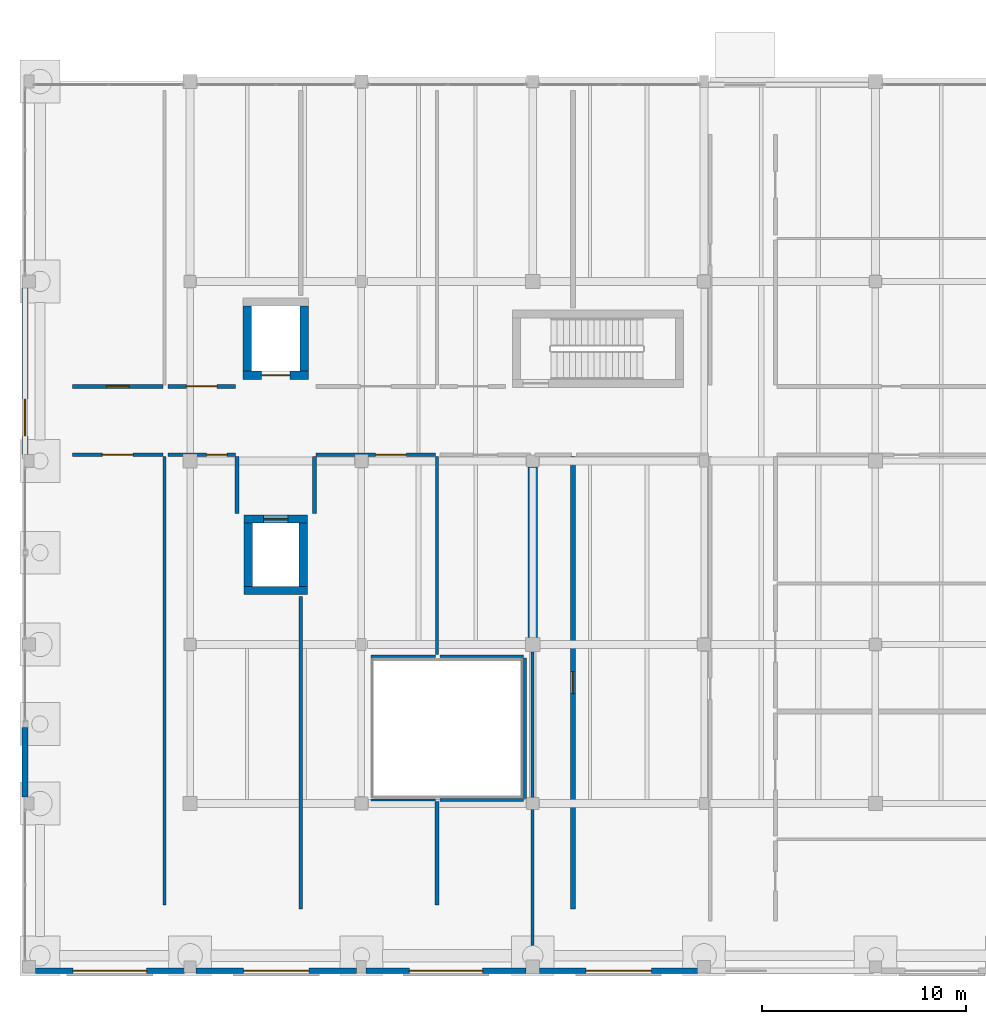
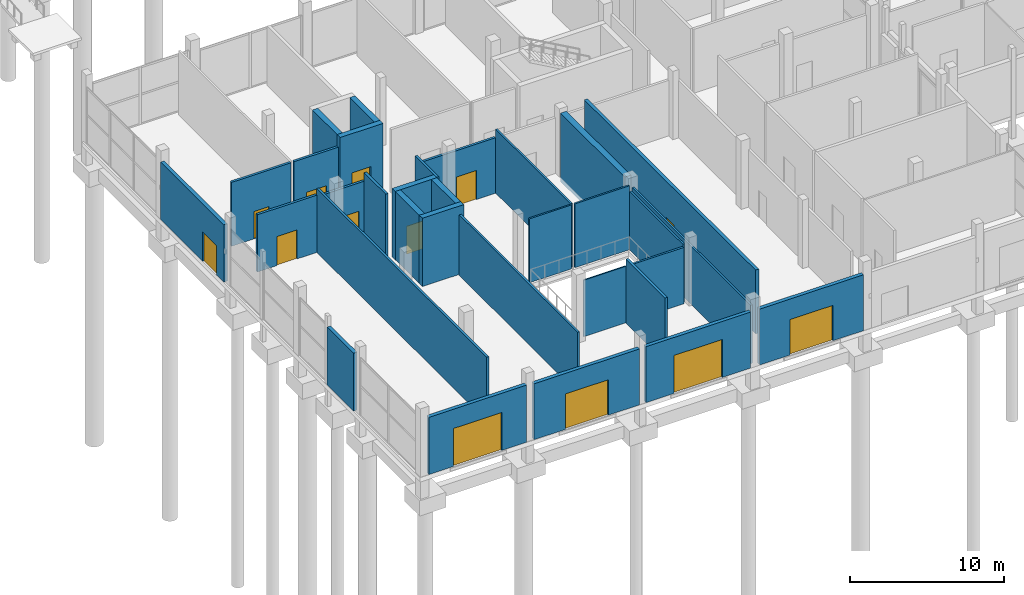
# One storey, part 56 of 88: 32 walls, 13 doors, 13 openings.
"""IFC4 building model written with IfcOpenShell, lengths in metres."""

from ifc_helpers import new_model, si_unit, direction, frame, frame_2d, origin, place, context, subcontext, project, spatial, rectangle, extrude, material, layer, layer_set, type_object, element, fill, save


model = new_model("IFC4")

# Units and contexts
model_context = context("Model", 3, precision=1e-05, world=origin(), true_north=direction((0.0, 1.0)))
body_context = subcontext(model_context, "Body", "Model", "MODEL_VIEW")
ifc_project = project(units=[si_unit("LENGTHUNIT", "METRE"), si_unit("AREAUNIT", "SQUARE_METRE"), si_unit("VOLUMEUNIT", "CUBIC_METRE"), si_unit("PLANEANGLEUNIT", "RADIAN"), si_unit("MASSUNIT", "GRAM", prefix="KILO")], contexts=[model_context])

# Site, building, storey
site_placement = place(None, origin())
site = spatial("IfcSite", under=ifc_project, at=site_placement, CompositionType="ELEMENT")
building_placement = place(site_placement, origin())
building = spatial("IfcBuilding", under=site, at=building_placement, Name="Birchvale Park Specialist Clinic", CompositionType="ELEMENT")
storey_placement = place(building_placement, origin())
storey = spatial("IfcBuildingStorey", under=building, at=storey_placement, Name="L00", CompositionType="ELEMENT", Elevation=0.0)

# Wall
ifc_material_1 = material(Name="Concrete C40/50", Category="concrete")
ifc_layer_1 = layer(ifc_material_1, 0.39990234375)
ifc_layer_set_1 = layer_set([ifc_layer_1], Name="Concrete C40/50")
wall_type_1 = type_object("IfcWallType", Name="WL-CW-120", PredefinedType="SHEAR", material=ifc_layer_set_1)
wall_1_placement = place(storey_placement, frame((13.85009765625, 19.449951171875, 0.0), z_axis=(0.0, 0.0, 1.0), x_axis=(1.0, 0.0, 0.0)))
element("IfcWall", 1, at=wall_1_placement, inside=storey, type_object=wall_type_1, Name="L00 lift LP3 shaft wall (south)", PredefinedType="SHEAR", context=body_context, shape_type="SweptSolid", body=[
    extrude(rectangle(XDim=3.099853515625, YDim=0.39990234375, at=frame_2d((1.5498046875, 0.0))), origin(), (0.0, 0.0, 1.0), 5.39990234375),
])

# Wall, opening, door
wall_2_placement = place(storey_placement, frame((16.949951171875, 22.949951171875, 0.0), z_axis=(0.0, 0.0, 1.0), x_axis=(-1.0, 0.0, 0.0)))
wall_2 = element("IfcWall", 2, at=wall_2_placement, inside=storey, type_object=wall_type_1, Name="L00 lift LP3 shaft wall (north)", PredefinedType="SHEAR", context=body_context, shape_type="SweptSolid", body=[
    extrude(rectangle(XDim=3.099853515625, YDim=0.39990234375, at=frame_2d((1.5498046875, 0.0))), origin(), (0.0, 0.0, 1.0), 5.39990234375),
])
opening_1_placement = place(wall_2_placement, frame((0.949951171875, 0.0, 0.0)))
opening_1 = element("IfcOpeningElement", 3, at=opening_1_placement, cuts=wall_2, Name="Opening LD-01", PredefinedType="OPENING", context=body_context, shape_type="SweptSolid", body=[
    extrude(rectangle(XDim=1.199951171875, YDim=2.199951171875, at=frame_2d((0.60009765625, 1.10009765625))), frame((0.0, 0.2099609375, 0.0), z_axis=(0.0, -1.0, 0.0), x_axis=(1.0, 0.0, 0.0)), (0.0, 0.0, 1.0), 0.419921875),
])
ifc_material_2 = material(Name="Solid-core birch veneer and anodised aluminium", Category="aluminium")
door_type_1 = type_object("IfcDoorType", Name="DR-LD-01", OperationType="DOUBLE_DOOR_SLIDING", PredefinedType="DOOR", material=ifc_material_2)
door_1_placement = place(opening_1_placement, origin())
door_1 = element("IfcDoor", 4, at=door_1_placement, inside=storey, type_object=door_type_1, Name="L00 lift LP3 sliding landing door", OperationType="DOUBLE_DOOR_SLIDING", OverallHeight=2.199951171875, OverallWidth=1.199951171875, PredefinedType="DOOR", context=body_context, shape_type="SweptSolid", body=[
    extrude(rectangle(XDim=1.199951171875, YDim=2.199951171875, at=frame_2d((0.60009765625, 1.10009765625))), frame((0.0, 0.02490234375, 0.0), z_axis=(0.0, -1.0, 0.0), x_axis=(1.0, 0.0, 0.0)), (0.0, 0.0, 1.0), 0.050048828125),
])
fill(opening_1, door_1)

# Walls
for number, where, z_axis, x_axis, name in (
    (5, (14.050048828125, 19.64990234375, 0.0), (0.0, 0.0, 1.0), (0.0, 1.0, 0.0), "L00 lift LP3 shaft wall (west)"),
    (6, (16.75, 22.75, 0.0), (0.0, 0.0, 1.0), (0.0, -1.0, 0.0), "L00 lift LP3 shaft wall (east)"),
):
    element("IfcWall", number, at=place(storey_placement, frame(where, z_axis=z_axis, x_axis=x_axis)), inside=storey, type_object=wall_type_1, Name=name, PredefinedType="SHEAR", context=body_context, shape_type="SweptSolid", body=[
        extrude(rectangle(XDim=3.10009765625, YDim=0.39990234375, at=frame_2d((1.550048828125, 0.0))), origin(), (0.0, 0.0, 1.0), 5.39990234375),
    ])

# Wall, opening, door
wall_3_placement = place(storey_placement, frame((13.800048828125, 30.0, 0.0), z_axis=(0.0, 0.0, 1.0), x_axis=(1.0, 0.0, 0.0)))
wall_3 = element("IfcWall", 7, at=wall_3_placement, inside=storey, type_object=wall_type_1, Name="L00 lift LS1 shaft wall (south)", PredefinedType="SHEAR", context=body_context, shape_type="SweptSolid", body=[
    extrude(rectangle(XDim=3.199951171875, YDim=0.39990234375, at=frame_2d((1.60009765625, 0.0))), origin(), (0.0, 0.0, 1.0), 5.39990234375),
])
opening_2_placement = place(wall_3_placement, frame((0.89990234375, 0.0, 0.0)))
opening_2 = element("IfcOpeningElement", 8, at=opening_2_placement, cuts=wall_3, Name="Opening LD-03", PredefinedType="OPENING", context=body_context, shape_type="SweptSolid", body=[
    extrude(rectangle(XDim=1.39990234375, YDim=2.300048828125, at=frame_2d((0.699951171875, 1.14990234375))), frame((0.0, 0.2099609375, 0.0), z_axis=(0.0, -1.0, 0.0), x_axis=(1.0, 0.0, 0.0)), (0.0, 0.0, 1.0), 0.419921875),
])
door_type_2 = type_object("IfcDoorType", Name="DR-LD-03", OperationType="DOUBLE_DOOR_SLIDING", PredefinedType="DOOR", material=ifc_material_2)
door_2_placement = place(opening_2_placement, origin())
door_2 = element("IfcDoor", 9, at=door_2_placement, inside=storey, type_object=door_type_2, Name="L00 lift LS1 sliding landing door", OperationType="DOUBLE_DOOR_SLIDING", OverallHeight=2.300048828125, OverallWidth=1.39990234375, PredefinedType="DOOR", context=body_context, shape_type="SweptSolid", body=[
    extrude(rectangle(XDim=1.39990234375, YDim=2.300048828125, at=frame_2d((0.699951171875, 1.14990234375))), frame((0.0, 0.02490234375, 0.0), z_axis=(0.0, -1.0, 0.0), x_axis=(1.0, 0.0, 0.0)), (0.0, 0.0, 1.0), 0.050048828125),
])
fill(opening_2, door_2)

# Walls
for number, where, z_axis, x_axis, name in (
    (10, (14.0, 30.199951171875, 0.0), (0.0, 0.0, 1.0), (0.0, 1.0, 0.0), "L00 lift LS1 shaft wall (west)"),
    (11, (16.800048828125, 33.39990234375, 0.0), (0.0, 0.0, 1.0), (0.0, -1.0, 0.0), "L00 lift LS1 shaft wall (east)"),
):
    element("IfcWall", number, at=place(storey_placement, frame(where, z_axis=z_axis, x_axis=x_axis)), inside=storey, type_object=wall_type_1, Name=name, PredefinedType="SHEAR", context=body_context, shape_type="SweptSolid", body=[
        extrude(rectangle(XDim=3.199951171875, YDim=0.39990234375, at=frame_2d((1.60009765625, 0.0))), origin(), (0.0, 0.0, 1.0), 5.39990234375),
    ])

# Wall, opening, door
ifc_material_3 = material(Name="Lime-white mineral-rendered insulated masonry", Category="masonry")
ifc_layer_2 = layer(ifc_material_3, 0.27001953125)
ifc_layer_set_2 = layer_set([ifc_layer_2], Name="Lime-white mineral-rendered insulated masonry")
wall_type_2 = type_object("IfcWallType", Name="WL-EW-04", PredefinedType="STANDARD", material=ifc_layer_set_2)
wall_4_placement = place(storey_placement, frame((3.610107421875, 0.804931640625, 0.0), z_axis=(0.0, 0.0, 1.0), x_axis=(1.0, 0.0, 0.0)))
wall_4 = element("IfcWall", 12, at=wall_4_placement, inside=storey, type_object=wall_type_2, Name="V2 L00 exterior facade wall 34", PredefinedType="STANDARD", context=body_context, shape_type="SweptSolid", body=[
    extrude(rectangle(XDim=7.304931640625, YDim=0.27001953125, at=frame_2d((3.65234375, 0.0))), origin(), (0.0, 0.0, 1.0), 4.52001953125),
])
opening_3_placement = place(wall_4_placement, frame((1.8525390625, 0.0, 0.0)))
opening_3 = element("IfcOpeningElement", 13, at=opening_3_placement, cuts=wall_4, Name="Opening SG-01", PredefinedType="OPENING", context=body_context, shape_type="SweptSolid", body=[
    extrude(rectangle(XDim=3.60009765625, YDim=3.0, at=frame_2d((1.800048828125, 1.5))), frame((0.0, 0.14501953125, 0.0), z_axis=(0.0, -1.0, 0.0), x_axis=(1.0, 0.0, 0.0)), (0.0, 0.0, 1.0), 0.2900390625),
])
ifc_material_4 = material(Name="Powder-coated aluminium and laminated safety glass", Category="aluminium")
door_type_3 = type_object("IfcDoorType", Name="DR-SG-01", OperationType="DOUBLE_DOOR_SINGLE_SWING", PredefinedType="GATE", material=ifc_material_4)
door_3_placement = place(opening_3_placement, frame((3.60009765625, 0.0, 0.0), z_axis=(0.0, 0.0, 1.0), x_axis=(-1.0, 0.0, 0.0)))
door_3 = element("IfcDoor", 14, at=door_3_placement, inside=storey, type_object=door_type_3, Name="V2 L00 ambulance & sterile service gate 1", OperationType="DOUBLE_DOOR_SINGLE_SWING", OverallHeight=3.0, OverallWidth=3.60009765625, PredefinedType="GATE", context=body_context, shape_type="SweptSolid", body=[
    extrude(rectangle(XDim=3.60009765625, YDim=3.0, at=frame_2d((1.800048828125, 1.5))), frame((0.0, 0.02490234375, 0.0), z_axis=(0.0, -1.0, 0.0), x_axis=(1.0, 0.0, 0.0)), (0.0, 0.0, 1.0), 0.050048828125),
])
fill(opening_3, door_3)

wall_5_placement = place(storey_placement, frame((11.485107421875, 0.804931640625, 0.0), z_axis=(0.0, 0.0, 1.0), x_axis=(1.0, 0.0, 0.0)))
wall_5 = element("IfcWall", 15, at=wall_5_placement, inside=storey, type_object=wall_type_2, Name="V2 L00 exterior facade wall 35", PredefinedType="STANDARD", context=body_context, shape_type="SweptSolid", body=[
    extrude(rectangle(XDim=7.885009765625, YDim=0.27001953125, at=frame_2d((3.9423828125, 0.0))), origin(), (0.0, 0.0, 1.0), 4.419921875),
])
opening_4_placement = place(wall_5_placement, frame((2.342529296875, 0.0, 0.0)))
opening_4 = element("IfcOpeningElement", 16, at=opening_4_placement, cuts=wall_5, Name="Opening SG-02", PredefinedType="OPENING", context=body_context, shape_type="SweptSolid", body=[
    extrude(rectangle(XDim=3.199951171875, YDim=2.800048828125, at=frame_2d((1.60009765625, 1.39990234375))), frame((0.0, 0.14501953125, 0.0), z_axis=(0.0, -1.0, 0.0), x_axis=(1.0, 0.0, 0.0)), (0.0, 0.0, 1.0), 0.2900390625),
])
door_type_4 = type_object("IfcDoorType", Name="DR-SG-02", OperationType="DOUBLE_DOOR_SINGLE_SWING", PredefinedType="GATE", material=ifc_material_4)
door_4_placement = place(opening_4_placement, frame((3.199951171875, 0.0, 0.0), z_axis=(0.0, 0.0, 1.0), x_axis=(-1.0, 0.0, 0.0)))
door_4 = element("IfcDoor", 17, at=door_4_placement, inside=storey, type_object=door_type_4, Name="V2 L00 ambulance & sterile service gate 2", OperationType="DOUBLE_DOOR_SINGLE_SWING", OverallHeight=2.800048828125, OverallWidth=3.199951171875, PredefinedType="GATE", context=body_context, shape_type="SweptSolid", body=[
    extrude(rectangle(XDim=3.199951171875, YDim=2.800048828125, at=frame_2d((1.60009765625, 1.39990234375))), frame((0.0, 0.02490234375, 0.0), z_axis=(0.0, -1.0, 0.0), x_axis=(1.0, 0.0, 0.0)), (0.0, 0.0, 1.0), 0.050048828125),
])
fill(opening_4, door_4)

wall_6_placement = place(storey_placement, frame((19.830078125, 0.804931640625, 0.0), z_axis=(0.0, 0.0, 1.0), x_axis=(1.0, 0.0, 0.0)))
wall_6 = element("IfcWall", 18, at=wall_6_placement, inside=storey, type_object=wall_type_2, Name="V2 L00 exterior facade wall 36", PredefinedType="STANDARD", context=body_context, shape_type="SweptSolid", body=[
    extrude(rectangle(XDim=7.8349609375, YDim=0.27001953125, at=frame_2d((3.91748046875, 0.0))), origin(), (0.0, 0.0, 1.0), 4.419921875),
])
opening_5_placement = place(wall_6_placement, frame((2.117431640625, 0.0, 0.0)))
opening_5 = element("IfcOpeningElement", 19, at=opening_5_placement, cuts=wall_6, Name="Opening SG-01", PredefinedType="OPENING", context=body_context, shape_type="SweptSolid", body=[
    extrude(rectangle(XDim=3.60009765625, YDim=3.0, at=frame_2d((1.800048828125, 1.5))), frame((0.0, 0.14501953125, 0.0), z_axis=(0.0, -1.0, 0.0), x_axis=(1.0, 0.0, 0.0)), (0.0, 0.0, 1.0), 0.2900390625),
])
door_5_placement = place(opening_5_placement, frame((3.60009765625, 0.0, 0.0), z_axis=(0.0, 0.0, 1.0), x_axis=(-1.0, 0.0, 0.0)))
door_5 = element("IfcDoor", 20, at=door_5_placement, inside=storey, type_object=door_type_3, Name="V2 L00 ambulance & sterile service gate 3", OperationType="DOUBLE_DOOR_SINGLE_SWING", OverallHeight=3.0, OverallWidth=3.60009765625, PredefinedType="GATE", context=body_context, shape_type="SweptSolid", body=[
    extrude(rectangle(XDim=3.60009765625, YDim=3.0, at=frame_2d((1.800048828125, 1.5))), frame((0.0, 0.02490234375, 0.0), z_axis=(0.0, -1.0, 0.0), x_axis=(1.0, 0.0, 0.0)), (0.0, 0.0, 1.0), 0.050048828125),
])
fill(opening_5, door_5)

wall_7_placement = place(storey_placement, frame((28.3349609375, 0.804931640625, 0.0), z_axis=(0.0, 0.0, 1.0), x_axis=(1.0, 0.0, 0.0)))
wall_7 = element("IfcWall", 21, at=wall_7_placement, inside=storey, type_object=wall_type_2, Name="V2 L00 exterior facade wall 37", PredefinedType="STANDARD", context=body_context, shape_type="SweptSolid", body=[
    extrude(rectangle(XDim=7.755126953125, YDim=0.27001953125, at=frame_2d((3.87744140625, 0.0))), origin(), (0.0, 0.0, 1.0), 4.419921875),
])
opening_6_placement = place(wall_7_placement, frame((2.277587890625, 0.0, 0.0)))
opening_6 = element("IfcOpeningElement", 22, at=opening_6_placement, cuts=wall_7, Name="Opening SG-02", PredefinedType="OPENING", context=body_context, shape_type="SweptSolid", body=[
    extrude(rectangle(XDim=3.199951171875, YDim=2.800048828125, at=frame_2d((1.60009765625, 1.39990234375))), frame((0.0, 0.14501953125, 0.0), z_axis=(0.0, -1.0, 0.0), x_axis=(1.0, 0.0, 0.0)), (0.0, 0.0, 1.0), 0.2900390625),
])
door_6_placement = place(opening_6_placement, frame((3.199951171875, 0.0, 0.0), z_axis=(0.0, 0.0, 1.0), x_axis=(-1.0, 0.0, 0.0)))
door_6 = element("IfcDoor", 23, at=door_6_placement, inside=storey, type_object=door_type_4, Name="V2 L00 ambulance & sterile service gate 4", OperationType="DOUBLE_DOOR_SINGLE_SWING", OverallHeight=2.800048828125, OverallWidth=3.199951171875, PredefinedType="GATE", context=body_context, shape_type="SweptSolid", body=[
    extrude(rectangle(XDim=3.199951171875, YDim=2.800048828125, at=frame_2d((1.60009765625, 1.39990234375))), frame((0.0, 0.02490234375, 0.0), z_axis=(0.0, -1.0, 0.0), x_axis=(1.0, 0.0, 0.0)), (0.0, 0.0, 1.0), 0.050048828125),
])
fill(opening_6, door_6)

wall_8_placement = place(storey_placement, frame((3.10498046875, 34.2900390625, 0.0), z_axis=(0.0, 0.0, 1.0), x_axis=(0.0, -1.0, 0.0)))
wall_8 = element("IfcWall", 24, at=wall_8_placement, inside=storey, type_object=wall_type_2, Name="V2 L00 exterior facade wall 43", PredefinedType="STANDARD", context=body_context, shape_type="SweptSolid", body=[
    extrude(rectangle(XDim=8.179931640625, YDim=0.27001953125, at=frame_2d((4.08984375, 0.0))), origin(), (0.0, 0.0, 1.0), 4.534912109375),
])
opening_7_placement = place(wall_8_placement, frame((5.4599609375, 0.0, 0.0)))
opening_7 = element("IfcOpeningElement", 25, at=opening_7_placement, cuts=wall_8, Name="Opening ED-03", PredefinedType="OPENING", context=body_context, shape_type="SweptSolid", body=[
    extrude(rectangle(XDim=1.800048828125, YDim=2.300048828125, at=frame_2d((0.89990234375, 1.14990234375))), frame((0.0, 0.14501953125, 0.0), z_axis=(0.0, -1.0, 0.0), x_axis=(1.0, 0.0, 0.0)), (0.0, 0.0, 1.0), 0.2900390625),
])
door_type_5 = type_object("IfcDoorType", Name="DR-ED-03", OperationType="DOUBLE_DOOR_SINGLE_SWING", PredefinedType="DOOR", material=ifc_material_4)
door_7_placement = place(opening_7_placement, frame((1.800048828125, 0.0, 0.0), z_axis=(0.0, 0.0, 1.0), x_axis=(-1.0, 0.0, 0.0)))
door_7 = element("IfcDoor", 26, at=door_7_placement, inside=storey, type_object=door_type_5, Name="L00 V2 final exit double door 12", OperationType="DOUBLE_DOOR_SINGLE_SWING", OverallHeight=2.300048828125, OverallWidth=1.800048828125, PredefinedType="DOOR", context=body_context, shape_type="SweptSolid", body=[
    extrude(rectangle(XDim=1.800048828125, YDim=2.300048828125, at=frame_2d((0.89990234375, 1.14990234375))), frame((0.0, 0.02490234375, 0.0), z_axis=(0.0, -1.0, 0.0), x_axis=(1.0, 0.0, 0.0)), (0.0, 0.0, 1.0), 0.050048828125),
])
fill(opening_7, door_7)

# Walls
wall_9_placement = place(storey_placement, frame((3.10498046875, 12.735107421875, 0.0), z_axis=(0.0, 0.0, 1.0), x_axis=(0.0, -1.0, 0.0)))
element("IfcWall", 27, at=wall_9_placement, inside=storey, type_object=wall_type_2, Name="V2 L00 exterior facade wall 44", PredefinedType="STANDARD", context=body_context, shape_type="SweptSolid", body=[
    extrude(rectangle(XDim=3.425048828125, YDim=0.27001953125, at=frame_2d((1.71240234375, 0.0))), origin(), (0.0, 0.0, 1.0), 4.570068359375),
])
ifc_material_5 = material(Name="Acoustic gypsum board on metal framing")
ifc_layer_3 = layer(ifc_material_5, 0.1650390625)
ifc_layer_set_3 = layer_set([ifc_layer_3], Name="Acoustic gypsum board on metal framing")
wall_type_3 = type_object("IfcWallType", Name="WL-IW-01", PredefinedType="PARTITIONING", material=ifc_layer_set_3)
wall_10_placement = place(storey_placement, frame((9.947998046875, 26.02001953125, 0.0), z_axis=(0.0, 0.0, 1.0), x_axis=(0.0, -1.0, 0.0)))
element("IfcWall", 28, at=wall_10_placement, inside=storey, type_object=wall_type_3, Name="V2 L00 clinical partition 78", PredefinedType="PARTITIONING", context=body_context, shape_type="SweptSolid", body=[
    extrude(rectangle(XDim=21.985107421875, YDim=0.1650390625, at=frame_2d((10.99267578125, 0.0))), origin(), (0.0, 0.0, 1.0), 5.050048828125),
])
ifc_layer_4 = layer(ifc_material_5, 0.14990234375)
ifc_layer_set_4 = layer_set([ifc_layer_4], Name="Acoustic gypsum board on metal framing")
wall_type_4 = type_object("IfcWallType", Name="WL-IW-02", PredefinedType="PARTITIONING", material=ifc_layer_set_4)
wall_11_placement = place(storey_placement, frame((16.6259765625, 19.14990234375, 0.0), z_axis=(0.0, 0.0, 1.0), x_axis=(0.0, -1.0, 0.0)))
element("IfcWall", 29, at=wall_11_placement, inside=storey, type_object=wall_type_4, Name="V2 L00 clinical partition 79", PredefinedType="PARTITIONING", context=body_context, shape_type="SweptSolid", body=[
    extrude(rectangle(XDim=15.31494140625, YDim=0.14990234375, at=frame_2d((7.657470703125, 0.0))), origin(), (0.0, 0.0, 1.0), 4.79296875),
])
wall_12_placement = place(storey_placement, frame((23.464111328125, 9.179931640625, 0.0), z_axis=(0.0, 0.0, 1.0), x_axis=(1.0, 0.0, 0.0)))
element("IfcWall", 30, at=wall_12_placement, inside=storey, type_object=wall_type_4, Name="V2 L00 clinical partition 88", PredefinedType="PARTITIONING", context=body_context, shape_type="SweptSolid", body=[
    extrude(rectangle(XDim=4.075927734375, YDim=0.14990234375, at=frame_2d((2.0380859375, 0.0))), origin(), (0.0, 0.0, 1.0), 4.4599609375),
])
ifc_layer_5 = layer(ifc_material_5, 0.139892578125)
ifc_layer_set_5 = layer_set([ifc_layer_5], Name="Acoustic gypsum board on metal framing")
wall_type_5 = type_object("IfcWallType", Name="WL-IW-03", PredefinedType="PARTITIONING", material=ifc_layer_set_5)
wall_13_placement = place(storey_placement, frame((23.303955078125, 26.02001953125, 0.0), z_axis=(0.0, 0.0, 1.0), x_axis=(0.0, -1.0, 0.0)))
element("IfcWall", 31, at=wall_13_placement, inside=storey, type_object=wall_type_5, Name="V2 L00 clinical partition 84", PredefinedType="PARTITIONING", context=body_context, shape_type="SweptSolid", body=[
    extrude(rectangle(XDim=9.719970703125, YDim=0.139892578125, at=frame_2d((4.85986328125, 0.0))), origin(), (0.0, 0.0, 1.0), 5.050048828125),
])
wall_14_placement = place(storey_placement, frame((27.6201171875, 9.260009765625, 0.0), z_axis=(0.0, 0.0, 1.0), x_axis=(0.0, 1.0, 0.0)))
element("IfcWall", 32, at=wall_14_placement, inside=storey, type_object=wall_type_5, Name="V2 L00 clinical partition 89", PredefinedType="PARTITIONING", context=body_context, shape_type="SweptSolid", body=[
    extrude(rectangle(XDim=6.8798828125, YDim=0.139892578125, at=frame_2d((3.43994140625, 0.0))), origin(), (0.0, 0.0, 1.0), 4.610107421875),
])
wall_15_placement = place(storey_placement, frame((27.97998046875, 16.43994140625, 0.0), z_axis=(0.0, 0.0, 1.0), x_axis=(0.0, -1.0, 0.0)))
element("IfcWall", 33, at=wall_15_placement, inside=storey, type_object=wall_type_5, Name="V2 L00 clinical partition 92", PredefinedType="PARTITIONING", context=body_context, shape_type="SweptSolid", body=[
    extrude(rectangle(XDim=15.349853515625, YDim=0.139892578125, at=frame_2d((7.6748046875, 0.0))), origin(), (0.0, 0.0, 1.0), 4.610107421875),
])
ifc_layer_6 = layer(ifc_material_5, 0.125)
ifc_layer_set_6 = layer_set([ifc_layer_6], Name="Acoustic gypsum board on metal framing")
wall_type_6 = type_object("IfcWallType", Name="WL-IW-04", PredefinedType="PARTITIONING", material=ifc_layer_set_6)
wall_16_placement = place(storey_placement, frame((23.22412109375, 16.219970703125, 0.0), z_axis=(0.0, 0.0, 1.0), x_axis=(-1.0, 0.0, 0.0)))
element("IfcWall", 34, at=wall_16_placement, inside=storey, type_object=wall_type_6, Name="V2 L00 clinical partition 85", PredefinedType="PARTITIONING", context=body_context, shape_type="SweptSolid", body=[
    extrude(rectangle(XDim=3.1640625, YDim=0.125, at=frame_2d((1.58203125, 0.0))), origin(), (0.0, 0.0, 1.0), 5.050048828125),
])
wall_17_placement = place(storey_placement, frame((27.5400390625, 16.219970703125, 0.0), z_axis=(0.0, 0.0, 1.0), x_axis=(-1.0, 0.0, 0.0)))
element("IfcWall", 35, at=wall_17_placement, inside=storey, type_object=wall_type_6, Name="V2 L00 clinical partition 90", PredefinedType="PARTITIONING", context=body_context, shape_type="SweptSolid", body=[
    extrude(rectangle(XDim=4.075927734375, YDim=0.125, at=frame_2d((2.0380859375, 0.0))), origin(), (0.0, 0.0, 1.0), 5.050048828125),
])
ifc_layer_7 = layer(ifc_material_5, 0.10009765625)
ifc_layer_set_7 = layer_set([ifc_layer_7], Name="Acoustic gypsum board on metal framing")
wall_type_7 = type_object("IfcWallType", Name="WL-IW-06", PredefinedType="PARTITIONING", material=ifc_layer_set_7)
wall_18_placement = place(storey_placement, frame((20.06005859375, 9.179931640625, 0.0), z_axis=(0.0, 0.0, 1.0), x_axis=(1.0, 0.0, 0.0)))
element("IfcWall", 36, at=wall_18_placement, inside=storey, type_object=wall_type_7, Name="V2 L00 clinical partition 86", PredefinedType="PARTITIONING", context=body_context, shape_type="SweptSolid", body=[
    extrude(rectangle(XDim=3.1640625, YDim=0.10009765625, at=frame_2d((1.58203125, 0.0))), origin(), (0.0, 0.0, 1.0), 4.4599609375),
])
ifc_layer_8 = layer(ifc_material_5, 0.195068359375)
ifc_layer_set_8 = layer_set([ifc_layer_8], Name="Acoustic gypsum board on metal framing")
wall_type_8 = type_object("IfcWallType", Name="WL-IW-07", PredefinedType="PARTITIONING", material=ifc_layer_set_8)
wall_19_placement = place(storey_placement, frame((23.303955078125, 9.10009765625, 0.0), z_axis=(0.0, 0.0, 1.0), x_axis=(0.0, -1.0, 0.0)))
element("IfcWall", 37, at=wall_19_placement, inside=storey, type_object=wall_type_8, Name="V2 L00 clinical partition 87", PredefinedType="PARTITIONING", context=body_context, shape_type="SweptSolid", body=[
    extrude(rectangle(XDim=5.065185546875, YDim=0.195068359375, at=frame_2d((2.53271484375, 0.0))), origin(), (0.0, 0.0, 1.0), 5.050048828125),
])

# Wall, opening, door
ifc_layer_9 = layer(ifc_material_5, 0.239990234375)
ifc_layer_set_9 = layer_set([ifc_layer_9], Name="Acoustic gypsum board on metal framing")
wall_type_9 = type_object("IfcWallType", Name="WL-IW-08", PredefinedType="PARTITIONING", material=ifc_layer_set_9)
wall_20_placement = place(storey_placement, frame((29.98193359375, 26.02001953125, 0.0), z_axis=(0.0, 0.0, 1.0), x_axis=(0.0, -1.0, 0.0)))
wall_20 = element("IfcWall", 38, at=wall_20_placement, inside=storey, type_object=wall_type_9, Name="V2 L00 clinical partition 94", PredefinedType="PARTITIONING", context=body_context, shape_type="SweptSolid", body=[
    extrude(rectangle(XDim=22.18505859375, YDim=0.239990234375, at=frame_2d((11.092529296875, 0.0))), origin(), (0.0, 0.0, 1.0), 5.050048828125),
])
opening_8_placement = place(wall_20_placement, frame((10.552490234375, 0.0, 0.0)))
opening_8 = element("IfcOpeningElement", 39, at=opening_8_placement, cuts=wall_20, Name="Opening ID-03", PredefinedType="OPENING", context=body_context, shape_type="SweptSolid", body=[
    extrude(rectangle(XDim=1.080078125, YDim=2.199951171875, at=frame_2d((0.5400390625, 1.10009765625))), frame((0.0, 0.1298828125, 0.0), z_axis=(0.0, -1.0, 0.0), x_axis=(1.0, 0.0, 0.0)), (0.0, 0.0, 1.0), 0.260009765625),
])
door_type_6 = type_object("IfcDoorType", Name="DR-ID-03", OperationType="NOTDEFINED", PredefinedType="DOOR", material=ifc_material_2)
door_8_placement = place(opening_8_placement, origin())
door_8 = element("IfcDoor", 40, at=door_8_placement, inside=storey, type_object=door_type_6, Name="V2 L00 clinical suite door 141", OperationType="SINGLE_SWING_RIGHT", OverallHeight=2.199951171875, OverallWidth=1.080078125, PredefinedType="DOOR", context=body_context, shape_type="SweptSolid", body=[
    extrude(rectangle(XDim=1.080078125, YDim=2.199951171875, at=frame_2d((0.5400390625, 1.10009765625))), frame((0.0, 0.02490234375, 0.0), z_axis=(0.0, -1.0, 0.0), x_axis=(1.0, 0.0, 0.0)), (0.0, 0.0, 1.0), 0.050048828125),
])
fill(opening_8, door_8)

ifc_layer_10 = layer(ifc_material_5, 0.179931640625)
ifc_layer_set_10 = layer_set([ifc_layer_10], Name="Acoustic gypsum board on metal framing")
wall_type_10 = type_object("IfcWallType", Name="WL-IW-60", PredefinedType="PARTITIONING", material=ifc_layer_set_10)
wall_21_placement = place(storey_placement, frame((5.43505859375, 26.10009765625, 0.0), z_axis=(0.0, 0.0, 1.0), x_axis=(1.0, 0.0, 0.0)))
wall_21 = element("IfcWall", 41, at=wall_21_placement, inside=storey, type_object=wall_type_10, Name="V2 L00 clinical partition 77", PredefinedType="PARTITIONING", context=body_context, shape_type="SweptSolid", body=[
    extrude(rectangle(XDim=4.432861328125, YDim=0.179931640625, at=frame_2d((2.21630859375, 0.0))), origin(), (0.0, 0.0, 1.0), 4.52490234375),
])
opening_9_placement = place(wall_21_placement, frame((1.466552734375, 0.0, 0.0)))
opening_9 = element("IfcOpeningElement", 42, at=opening_9_placement, cuts=wall_21, Name="Opening ID-07", PredefinedType="OPENING", context=body_context, shape_type="SweptSolid", body=[
    extrude(rectangle(XDim=1.5, YDim=2.300048828125, at=frame_2d((0.75, 1.14990234375))), frame((0.0, 0.10009765625, 0.0), z_axis=(0.0, -1.0, 0.0), x_axis=(1.0, 0.0, 0.0)), (0.0, 0.0, 1.0), 0.199951171875),
])
door_type_7 = type_object("IfcDoorType", Name="DR-ID-07", OperationType="DOUBLE_DOOR_SINGLE_SWING", PredefinedType="DOOR", material=ifc_material_2)
door_9_placement = place(opening_9_placement, origin())
door_9 = element("IfcDoor", 43, at=door_9_placement, inside=storey, type_object=door_type_7, Name="L00 MRI Imaging Suite door", OperationType="DOUBLE_DOOR_SINGLE_SWING", OverallHeight=2.300048828125, OverallWidth=1.5, PredefinedType="DOOR", context=body_context, shape_type="SweptSolid", body=[
    extrude(rectangle(XDim=1.5, YDim=2.300048828125, at=frame_2d((0.75, 1.14990234375))), frame((0.0, 0.02490234375, 0.0), z_axis=(0.0, -1.0, 0.0), x_axis=(1.0, 0.0, 0.0)), (0.0, 0.0, 1.0), 0.050048828125),
])
fill(opening_9, door_9)

wall_22_placement = place(storey_placement, frame((10.10791015625, 26.10009765625, 0.0), z_axis=(0.0, 0.0, 1.0), x_axis=(1.0, 0.0, 0.0)))
wall_22 = element("IfcWall", 44, at=wall_22_placement, inside=storey, type_object=wall_type_10, Name="V2 L00 clinical partition 80", PredefinedType="PARTITIONING", context=body_context, shape_type="SweptSolid", body=[
    extrude(rectangle(XDim=3.31201171875, YDim=0.179931640625, at=frame_2d((1.656005859375, 0.0))), origin(), (0.0, 0.0, 1.0), 4.385009765625),
])
opening_10_placement = place(wall_22_placement, frame((1.906005859375, 0.0, 0.0)))
opening_10 = element("IfcOpeningElement", 45, at=opening_10_placement, cuts=wall_22, Name="Opening ID-01", PredefinedType="OPENING", context=body_context, shape_type="SweptSolid", body=[
    extrude(rectangle(XDim=1.0, YDim=2.14990234375, at=frame_2d((0.5, 1.074951171875))), frame((0.0, 0.10009765625, 0.0), z_axis=(0.0, -1.0, 0.0), x_axis=(1.0, 0.0, 0.0)), (0.0, 0.0, 1.0), 0.199951171875),
])
door_type_8 = type_object("IfcDoorType", Name="DR-ID-01", OperationType="NOTDEFINED", PredefinedType="DOOR", material=ifc_material_2)
door_10_placement = place(opening_10_placement, origin())
door_10 = element("IfcDoor", 46, at=door_10_placement, inside=storey, type_object=door_type_8, Name="L00 CT Scanner Suite door", OperationType="SINGLE_SWING_RIGHT", OverallHeight=2.14990234375, OverallWidth=1.0, PredefinedType="DOOR", context=body_context, shape_type="SweptSolid", body=[
    extrude(rectangle(XDim=1.0, YDim=2.14990234375, at=frame_2d((0.5, 1.074951171875))), frame((0.0, 0.02490234375, 0.0), z_axis=(0.0, -1.0, 0.0), x_axis=(1.0, 0.0, 0.0)), (0.0, 0.0, 1.0), 0.050048828125),
])
fill(opening_10, door_10)

# Walls
for number, where, z_axis, x_axis, name in (
    (47, (13.5, 26.02001953125, 0.0), (0.0, 0.0, 1.0), (0.0, -1.0, 0.0), "V2 L00 clinical partition 81"),
    (48, (17.300048828125, 23.22998046875, 0.0), (0.0, 0.0, 1.0), (0.0, 1.0, 0.0), "V2 L00 clinical partition 82"),
):
    element("IfcWall", number, at=place(storey_placement, frame(where, z_axis=z_axis, x_axis=x_axis)), inside=storey, type_object=wall_type_10, Name=name, PredefinedType="PARTITIONING", context=body_context, shape_type="SweptSolid", body=[
        extrude(rectangle(XDim=2.7900390625, YDim=0.179931640625, at=frame_2d((1.39501953125, 0.0))), origin(), (0.0, 0.0, 1.0), 5.050048828125),
    ])

# Wall, opening, door
wall_23_placement = place(storey_placement, frame((17.3798828125, 26.10009765625, 0.0), z_axis=(0.0, 0.0, 1.0), x_axis=(1.0, 0.0, 0.0)))
wall_23 = element("IfcWall", 49, at=wall_23_placement, inside=storey, type_object=wall_type_10, Name="V2 L00 clinical partition 83", PredefinedType="PARTITIONING", context=body_context, shape_type="SweptSolid", body=[
    extrude(rectangle(XDim=5.84423828125, YDim=0.179931640625, at=frame_2d((2.922119140625, 0.0))), origin(), (0.0, 0.0, 1.0), 4.385009765625),
])
opening_11_placement = place(wall_23_placement, frame((2.922119140625, 0.0, 0.0)))
opening_11 = element("IfcOpeningElement", 50, at=opening_11_placement, cuts=wall_23, Name="Opening ID-07", PredefinedType="OPENING", context=body_context, shape_type="SweptSolid", body=[
    extrude(rectangle(XDim=1.5, YDim=2.300048828125, at=frame_2d((0.75, 1.14990234375))), frame((0.0, 0.10009765625, 0.0), z_axis=(0.0, -1.0, 0.0), x_axis=(1.0, 0.0, 0.0)), (0.0, 0.0, 1.0), 0.199951171875),
])
door_11_placement = place(opening_11_placement, origin())
door_11 = element("IfcDoor", 51, at=door_11_placement, inside=storey, type_object=door_type_7, Name="L00 Digital X-Ray Radiography Room door", OperationType="DOUBLE_DOOR_SINGLE_SWING", OverallHeight=2.300048828125, OverallWidth=1.5, PredefinedType="DOOR", context=body_context, shape_type="SweptSolid", body=[
    extrude(rectangle(XDim=1.5, YDim=2.300048828125, at=frame_2d((0.75, 1.14990234375))), frame((0.0, 0.02490234375, 0.0), z_axis=(0.0, -1.0, 0.0), x_axis=(1.0, 0.0, 0.0)), (0.0, 0.0, 1.0), 0.050048828125),
])
fill(opening_11, door_11)

wall_24_placement = place(storey_placement, frame((9.867919921875, 29.449951171875, 0.0), z_axis=(0.0, 0.0, 1.0), x_axis=(-1.0, 0.0, 0.0)))
wall_24 = element("IfcWall", 52, at=wall_24_placement, inside=storey, type_object=wall_type_10, Name="V2 L00 clinical partition 105", PredefinedType="PARTITIONING", context=body_context, shape_type="SweptSolid", body=[
    extrude(rectangle(XDim=4.432861328125, YDim=0.179931640625, at=frame_2d((2.21630859375, 0.0))), origin(), (0.0, 0.0, 1.0), 5.050048828125),
])
opening_12_placement = place(wall_24_placement, frame((1.656494140625, 0.0, 0.0)))
opening_12 = element("IfcOpeningElement", 53, at=opening_12_placement, cuts=wall_24, Name="Opening ID-11", PredefinedType="OPENING", context=body_context, shape_type="SweptSolid", body=[
    extrude(rectangle(XDim=1.1201171875, YDim=2.159912109375, at=frame_2d((0.56005859375, 1.080078125))), frame((0.0, 0.10009765625, 0.0), z_axis=(0.0, -1.0, 0.0), x_axis=(1.0, 0.0, 0.0)), (0.0, 0.0, 1.0), 0.199951171875),
])
door_type_9 = type_object("IfcDoorType", Name="DR-ID-11", OperationType="NOTDEFINED", PredefinedType="DOOR", material=ifc_material_2)
door_12_placement = place(opening_12_placement, origin())
door_12 = element("IfcDoor", 54, at=door_12_placement, inside=storey, type_object=door_type_9, Name="L00 Cardiology Diagnostic Clinic door", OperationType="SINGLE_SWING_RIGHT", OverallHeight=2.159912109375, OverallWidth=1.1201171875, PredefinedType="DOOR", context=body_context, shape_type="SweptSolid", body=[
    extrude(rectangle(XDim=1.1201171875, YDim=2.159912109375, at=frame_2d((0.56005859375, 1.080078125))), frame((0.0, 0.02490234375, 0.0), z_axis=(0.0, -1.0, 0.0), x_axis=(1.0, 0.0, 0.0)), (0.0, 0.0, 1.0), 0.050048828125),
])
fill(opening_12, door_12)

wall_25_placement = place(storey_placement, frame((13.419921875, 29.449951171875, 0.0), z_axis=(0.0, 0.0, 1.0), x_axis=(-1.0, 0.0, 0.0)))
wall_25 = element("IfcWall", 55, at=wall_25_placement, inside=storey, type_object=wall_type_10, Name="V2 L00 clinical partition 107", PredefinedType="PARTITIONING", context=body_context, shape_type="SweptSolid", body=[
    extrude(rectangle(XDim=3.31201171875, YDim=0.179931640625, at=frame_2d((1.656005859375, 0.0))), origin(), (0.0, 0.0, 1.0), 5.050048828125),
])
opening_13_placement = place(wall_25_placement, frame((0.906005859375, 0.0, 0.0)))
opening_13 = element("IfcOpeningElement", 56, at=opening_13_placement, cuts=wall_25, Name="Opening ID-07", PredefinedType="OPENING", context=body_context, shape_type="SweptSolid", body=[
    extrude(rectangle(XDim=1.5, YDim=2.300048828125, at=frame_2d((0.75, 1.14990234375))), frame((0.0, 0.10009765625, 0.0), z_axis=(0.0, -1.0, 0.0), x_axis=(1.0, 0.0, 0.0)), (0.0, 0.0, 1.0), 0.199951171875),
])
door_13_placement = place(opening_13_placement, origin())
door_13 = element("IfcDoor", 57, at=door_13_placement, inside=storey, type_object=door_type_7, Name="L00 MRI Imaging Suite door", OperationType="DOUBLE_DOOR_SINGLE_SWING", OverallHeight=2.300048828125, OverallWidth=1.5, PredefinedType="DOOR", context=body_context, shape_type="SweptSolid", body=[
    extrude(rectangle(XDim=1.5, YDim=2.300048828125, at=frame_2d((0.75, 1.14990234375))), frame((0.0, 0.02490234375, 0.0), z_axis=(0.0, -1.0, 0.0), x_axis=(1.0, 0.0, 0.0)), (0.0, 0.0, 1.0), 0.050048828125),
])
fill(opening_13, door_13)

# Wall
ifc_layer_11 = layer(ifc_material_1, 0.449951171875)
ifc_layer_set_11 = layer_set([ifc_layer_11], Name="Concrete C40/50")
wall_type_11 = type_object("IfcWallType", Name="WL-SW-450", PredefinedType="SHEAR", material=ifc_layer_set_11)
wall_26_placement = place(storey_placement, frame((28.0, 17.14990234375, -0.35009765625), z_axis=(0.0, 0.0, 1.0), x_axis=(0.0, 1.0, 0.0)))
element("IfcWall", 58, at=wall_26_placement, inside=storey, type_object=wall_type_11, Name="V2 L00 coupled seismic shear wall 1", PredefinedType="SHEAR", context=body_context, shape_type="SweptSolid", body=[
    extrude(rectangle(XDim=8.35009765625, YDim=0.449951171875, at=frame_2d((4.175048828125, 0.0))), origin(), (0.0, 0.0, 1.0), 5.400146484375),
])

save(model, "model.ifc")
